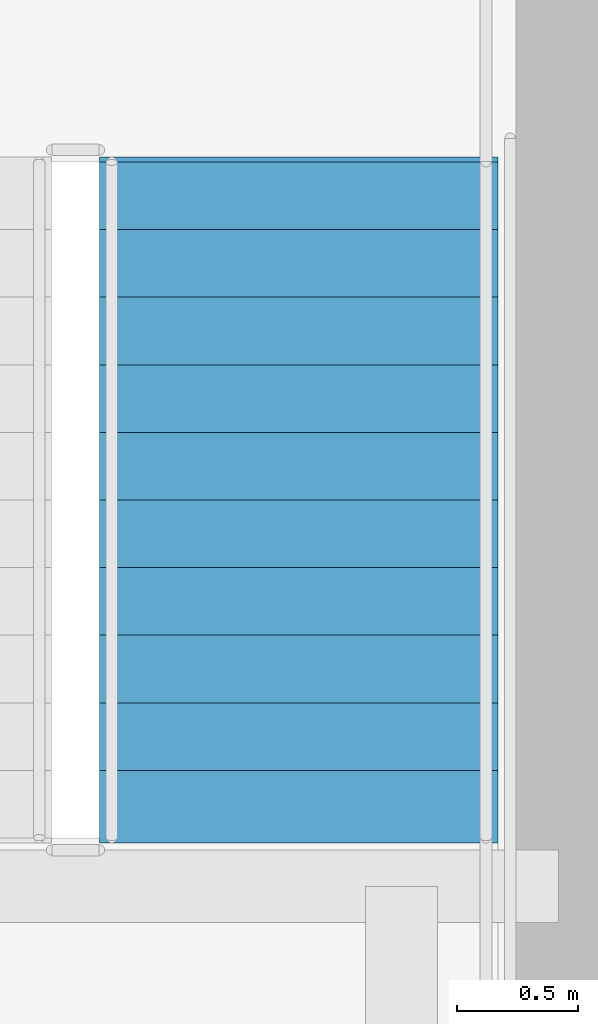
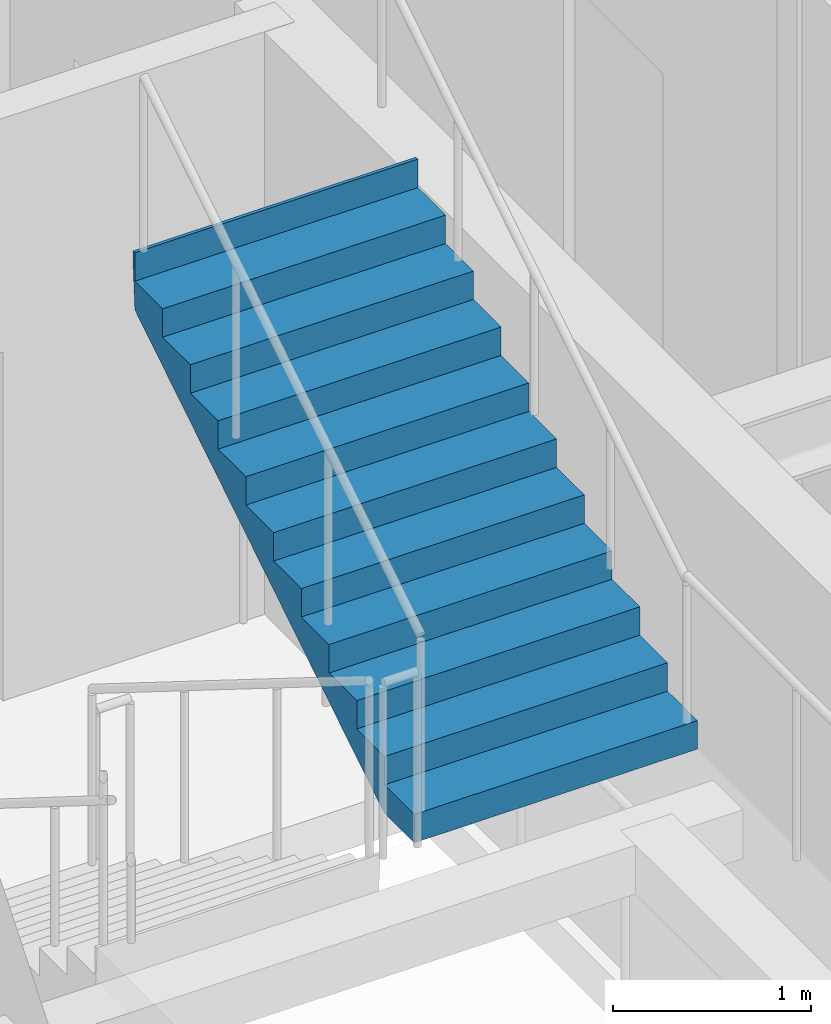
# One storey, part 33 of 38: 1 stair flight, 1 element without a shape of its own.
"""IFC4 building model written with IfcOpenShell, lengths in metres."""

from ifc_helpers import new_model, si_unit, direction, frame, origin, place, context, subcontext, project, spatial, polygons, material, type_object, element, aggregate, save


model = new_model("IFC4")

# Units and contexts
model_context = context("Model", 3, precision=1e-05, world=origin(), true_north=direction((0.0, 1.0)))
body_context = subcontext(model_context, "Body", "Model", "MODEL_VIEW")
ifc_project = project(units=[si_unit("LENGTHUNIT", "METRE"), si_unit("AREAUNIT", "SQUARE_METRE"), si_unit("VOLUMEUNIT", "CUBIC_METRE"), si_unit("PLANEANGLEUNIT", "RADIAN"), si_unit("MASSUNIT", "GRAM", prefix="KILO")], contexts=[model_context])

# Site, building, storey
site_placement = place(None, origin())
site = spatial("IfcSite", under=ifc_project, at=site_placement, CompositionType="ELEMENT")
building_placement = place(site_placement, origin())
building = spatial("IfcBuilding", under=site, at=building_placement, Name="Serunith Strait Residences", CompositionType="ELEMENT")
storey_placement = place(building_placement, frame((0.0, 0.0, 245.10009765625)))
storey = spatial("IfcBuildingStorey", under=building, at=storey_placement, Name="L61", CompositionType="ELEMENT", Elevation=245.10009765625)

# Stair, stair flight
ifc_material = material(Name="Concrete C50/60", Category="concrete")
stair_type = type_object("IfcStairType", Name="STR-CORE-2", PredefinedType="HALF_TURN_STAIR", material=ifc_material)
stair_placement = place(storey_placement, origin())
stair = element("IfcStair", 1, at=stair_placement, inside=storey, type_object=stair_type, Name="L61 Protected Escape Stair ST-2", PredefinedType="HALF_TURN_STAIR")
stair_flight_type = type_object("IfcStairFlightType", Name="FLT-CORE-2", PredefinedType="STRAIGHT", material=ifc_material)
stair_flight_placement = place(storey_placement, frame((40.324951171875, 20.570068359375, 1.9248046875), z_axis=(0.0, 0.0, 1.0), x_axis=(0.0, 1.0, 0.0)))
stair_flight = element("IfcStairFlight", 2, at=stair_flight_placement, type_object=stair_flight_type, Name="ST-2 flight 2", NumberOfRisers=11, NumberOfTreads=10, PredefinedType="STRAIGHT", RiserHeight=0.175, TreadLength=0.28, context=body_context, shape_type="Tessellation", body=[
    polygons([(-0.02001953125, -0.824951171875, 0.0), (-0.02001953125, -0.824951171875, 0.175048828125), (0.280029296875, -0.824951171875, 0.175048828125), (0.280029296875, -0.824951171875, 0.35009765625), (0.56005859375, -0.824951171875, 0.35009765625), (0.56005859375, -0.824951171875, 0.52490234375), (0.840087890625, -0.824951171875, 0.52490234375), (0.840087890625, -0.824951171875, 0.699951171875), (1.1201171875, -0.824951171875, 0.699951171875), (1.1201171875, -0.824951171875, 0.875), (1.39990234375, -0.824951171875, 0.875), (1.39990234375, -0.824951171875, 1.050048828125), (1.679931640625, -0.824951171875, 1.050048828125), (1.679931640625, -0.824951171875, 1.22509765625), (1.9599609375, -0.824951171875, 1.22509765625), (1.9599609375, -0.824951171875, 1.39990234375), (2.239990234375, -0.824951171875, 1.39990234375), (2.239990234375, -0.824951171875, 1.574951171875), (2.52001953125, -0.824951171875, 1.574951171875), (2.52001953125, -0.824951171875, 1.75), (2.800048828125, -0.824951171875, 1.75), (2.800048828125, -0.824951171875, 1.925048828125), (2.820068359375, -0.824951171875, 1.925048828125), (2.820068359375, -0.824951171875, 1.864990234375), (2.800048828125, -0.824951171875, 1.5732421875), (0.28271484375, -0.824951171875, 0.0), (-0.02001953125, -0.41259765625, 0.0), (-0.02001953125, -0.41259765625, 0.175048828125), (0.280029296875, -0.41259765625, 0.175048828125), (0.280029296875, -0.41259765625, 0.35009765625), (0.56005859375, -0.41259765625, 0.35009765625), (0.56005859375, -0.41259765625, 0.52490234375), (0.840087890625, -0.41259765625, 0.52490234375), (0.840087890625, -0.41259765625, 0.699951171875), (1.1201171875, -0.41259765625, 0.699951171875), (1.1201171875, -0.41259765625, 0.875), (1.39990234375, -0.41259765625, 0.875), (1.39990234375, -0.41259765625, 1.050048828125), (1.679931640625, -0.41259765625, 1.050048828125), (1.679931640625, -0.41259765625, 1.22509765625), (1.9599609375, -0.41259765625, 1.22509765625), (1.9599609375, -0.41259765625, 1.39990234375), (2.239990234375, -0.41259765625, 1.39990234375), (2.239990234375, -0.41259765625, 1.574951171875), (2.52001953125, -0.41259765625, 1.574951171875), (2.52001953125, -0.41259765625, 1.75), (2.800048828125, -0.41259765625, 1.75), (2.800048828125, -0.41259765625, 1.925048828125), (2.820068359375, -0.41259765625, 1.925048828125), (2.820068359375, -0.41259765625, 1.864990234375), (2.800048828125, -0.41259765625, 1.5732421875), (0.28271484375, -0.41259765625, 0.0), (-0.02001953125, 0.0, 0.0), (-0.02001953125, 0.0, 0.175048828125), (0.280029296875, 0.0, 0.175048828125), (0.280029296875, 0.0, 0.35009765625), (0.56005859375, 0.0, 0.35009765625), (0.56005859375, 0.0, 0.52490234375), (0.840087890625, 0.0, 0.52490234375), (0.840087890625, 0.0, 0.699951171875), (1.1201171875, 0.0, 0.699951171875), (1.1201171875, 0.0, 0.875), (1.39990234375, 0.0, 0.875), (1.39990234375, 0.0, 1.050048828125), (1.679931640625, 0.0, 1.050048828125), (1.679931640625, 0.0, 1.22509765625), (1.9599609375, 0.0, 1.22509765625), (1.9599609375, 0.0, 1.39990234375), (2.239990234375, 0.0, 1.39990234375), (2.239990234375, 0.0, 1.574951171875), (2.52001953125, 0.0, 1.574951171875), (2.52001953125, 0.0, 1.75), (2.800048828125, 0.0, 1.75), (2.800048828125, 0.0, 1.925048828125), (2.820068359375, 0.0, 1.925048828125), (2.820068359375, 0.0, 1.864990234375), (2.800048828125, 0.0, 1.5732421875), (0.28271484375, 0.0, 0.0), (-0.02001953125, 0.41259765625, 0.0), (-0.02001953125, 0.41259765625, 0.175048828125), (0.280029296875, 0.41259765625, 0.175048828125), (0.280029296875, 0.41259765625, 0.35009765625), (0.56005859375, 0.41259765625, 0.35009765625), (0.56005859375, 0.41259765625, 0.52490234375), (0.840087890625, 0.41259765625, 0.52490234375), (0.840087890625, 0.41259765625, 0.699951171875), (1.1201171875, 0.41259765625, 0.699951171875), (1.1201171875, 0.41259765625, 0.875), (1.39990234375, 0.41259765625, 0.875), (1.39990234375, 0.41259765625, 1.050048828125), (1.679931640625, 0.41259765625, 1.050048828125), (1.679931640625, 0.41259765625, 1.22509765625), (1.9599609375, 0.41259765625, 1.22509765625), (1.9599609375, 0.41259765625, 1.39990234375), (2.239990234375, 0.41259765625, 1.39990234375), (2.239990234375, 0.41259765625, 1.574951171875), (2.52001953125, 0.41259765625, 1.574951171875), (2.52001953125, 0.41259765625, 1.75), (2.800048828125, 0.41259765625, 1.75), (2.800048828125, 0.41259765625, 1.925048828125), (2.820068359375, 0.41259765625, 1.925048828125), (2.820068359375, 0.41259765625, 1.864990234375), (2.800048828125, 0.41259765625, 1.5732421875), (0.28271484375, 0.41259765625, 0.0), (-0.02001953125, 0.824951171875, 0.0), (-0.02001953125, 0.824951171875, 0.175048828125), (0.280029296875, 0.824951171875, 0.175048828125), (0.280029296875, 0.824951171875, 0.35009765625), (0.56005859375, 0.824951171875, 0.35009765625), (0.56005859375, 0.824951171875, 0.52490234375), (0.840087890625, 0.824951171875, 0.52490234375), (0.840087890625, 0.824951171875, 0.699951171875), (1.1201171875, 0.824951171875, 0.699951171875), (1.1201171875, 0.824951171875, 0.875), (1.39990234375, 0.824951171875, 0.875), (1.39990234375, 0.824951171875, 1.050048828125), (1.679931640625, 0.824951171875, 1.050048828125), (1.679931640625, 0.824951171875, 1.22509765625), (1.9599609375, 0.824951171875, 1.22509765625), (1.9599609375, 0.824951171875, 1.39990234375), (2.239990234375, 0.824951171875, 1.39990234375), (2.239990234375, 0.824951171875, 1.574951171875), (2.52001953125, 0.824951171875, 1.574951171875), (2.52001953125, 0.824951171875, 1.75), (2.800048828125, 0.824951171875, 1.75), (2.800048828125, 0.824951171875, 1.925048828125), (2.820068359375, 0.824951171875, 1.925048828125), (2.820068359375, 0.824951171875, 1.864990234375), (2.800048828125, 0.824951171875, 1.5732421875), (0.28271484375, 0.824951171875, 0.0)], [[[1, 2, 28, 27]], [[2, 3, 29, 28]], [[3, 4, 30, 29]], [[4, 5, 31, 30]], [[5, 6, 32, 31]], [[6, 7, 33, 32]], [[7, 8, 34, 33]], [[8, 9, 35, 34]], [[9, 10, 36, 35]], [[10, 11, 37, 36]], [[11, 12, 38, 37]], [[12, 13, 39, 38]], [[13, 14, 40, 39]], [[14, 15, 41, 40]], [[15, 16, 42, 41]], [[16, 17, 43, 42]], [[17, 18, 44, 43]], [[18, 19, 45, 44]], [[19, 20, 46, 45]], [[20, 21, 47, 46]], [[21, 22, 48, 47]], [[22, 23, 49, 48]], [[23, 24, 50, 49]], [[24, 25, 51, 50]], [[25, 26, 52, 51]], [[26, 1, 27, 52]], [[27, 28, 54, 53]], [[28, 29, 55, 54]], [[29, 30, 56, 55]], [[30, 31, 57, 56]], [[31, 32, 58, 57]], [[32, 33, 59, 58]], [[33, 34, 60, 59]], [[34, 35, 61, 60]], [[35, 36, 62, 61]], [[36, 37, 63, 62]], [[37, 38, 64, 63]], [[38, 39, 65, 64]], [[39, 40, 66, 65]], [[40, 41, 67, 66]], [[41, 42, 68, 67]], [[42, 43, 69, 68]], [[43, 44, 70, 69]], [[44, 45, 71, 70]], [[45, 46, 72, 71]], [[46, 47, 73, 72]], [[47, 48, 74, 73]], [[48, 49, 75, 74]], [[49, 50, 76, 75]], [[50, 51, 77, 76]], [[51, 52, 78, 77]], [[52, 27, 53, 78]], [[53, 54, 80, 79]], [[54, 55, 81, 80]], [[55, 56, 82, 81]], [[56, 57, 83, 82]], [[57, 58, 84, 83]], [[58, 59, 85, 84]], [[59, 60, 86, 85]], [[60, 61, 87, 86]], [[61, 62, 88, 87]], [[62, 63, 89, 88]], [[63, 64, 90, 89]], [[64, 65, 91, 90]], [[65, 66, 92, 91]], [[66, 67, 93, 92]], [[67, 68, 94, 93]], [[68, 69, 95, 94]], [[69, 70, 96, 95]], [[70, 71, 97, 96]], [[71, 72, 98, 97]], [[72, 73, 99, 98]], [[73, 74, 100, 99]], [[74, 75, 101, 100]], [[75, 76, 102, 101]], [[76, 77, 103, 102]], [[77, 78, 104, 103]], [[78, 53, 79, 104]], [[79, 80, 106, 105]], [[80, 81, 107, 106]], [[81, 82, 108, 107]], [[82, 83, 109, 108]], [[83, 84, 110, 109]], [[84, 85, 111, 110]], [[85, 86, 112, 111]], [[86, 87, 113, 112]], [[87, 88, 114, 113]], [[88, 89, 115, 114]], [[89, 90, 116, 115]], [[90, 91, 117, 116]], [[91, 92, 118, 117]], [[92, 93, 119, 118]], [[93, 94, 120, 119]], [[94, 95, 121, 120]], [[95, 96, 122, 121]], [[96, 97, 123, 122]], [[97, 98, 124, 123]], [[98, 99, 125, 124]], [[99, 100, 126, 125]], [[100, 101, 127, 126]], [[101, 102, 128, 127]], [[102, 103, 129, 128]], [[103, 104, 130, 129]], [[104, 79, 105, 130]], [[26, 25, 24, 23, 22, 21, 20, 19, 18, 17, 16, 15, 14, 13, 12, 11, 10, 9, 8, 7, 6, 5, 4, 3, 2, 1]], [[105, 106, 107, 108, 109, 110, 111, 112, 113, 114, 115, 116, 117, 118, 119, 120, 121, 122, 123, 124, 125, 126, 127, 128, 129, 130]]], closed=True),
])
aggregate(stair, [stair_flight])

save(model, "model.ifc")
